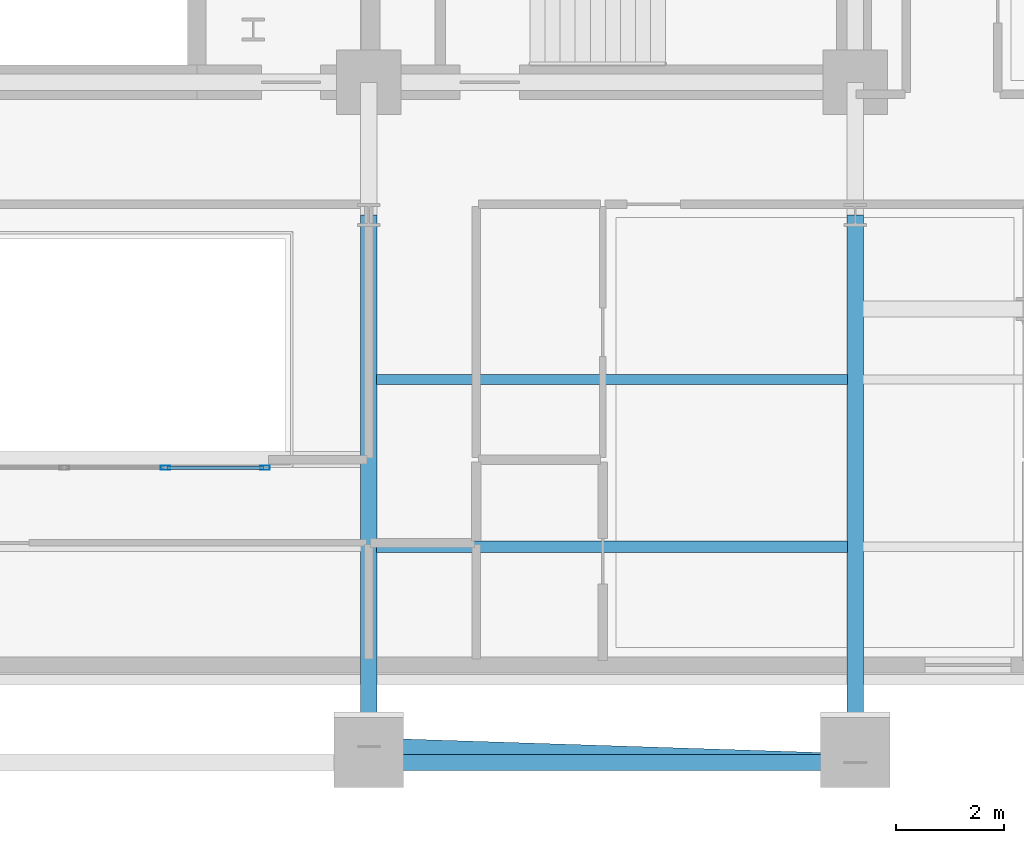
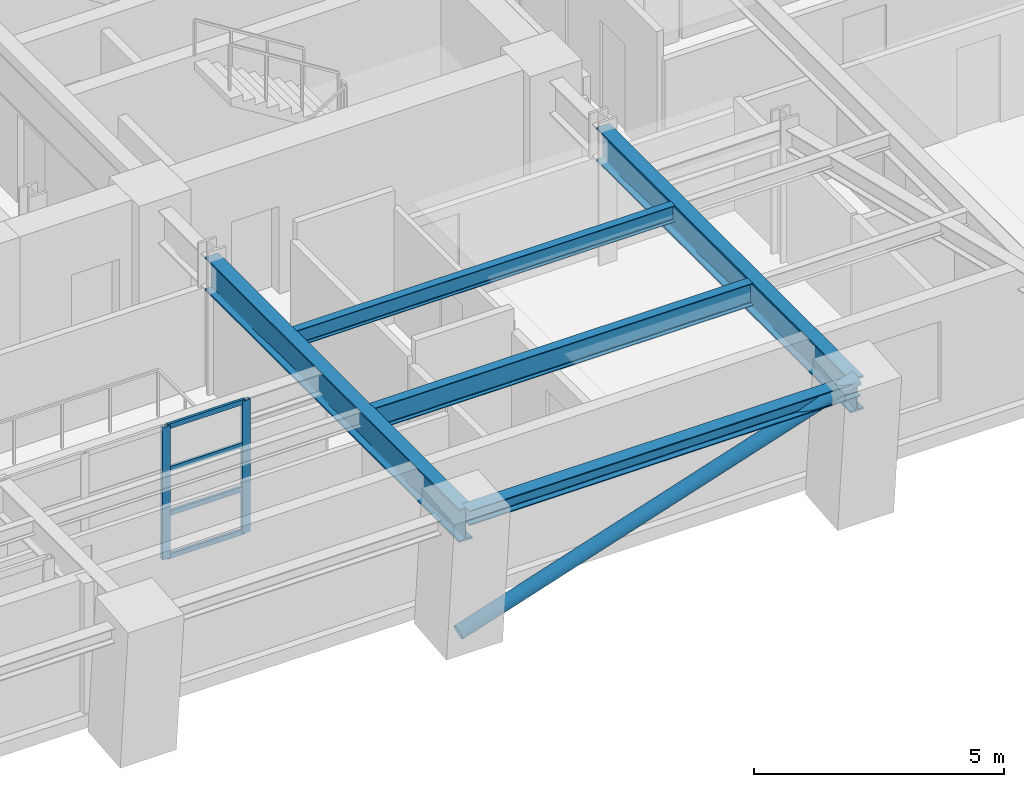
# One storey, part 5 of 16: 7 members, 5 beams, 1 element without a shape of its own.
"""IFC4 building model written with IfcOpenShell, lengths in metres."""

from ifc_helpers import new_model, si_unit, direction, frame, origin, origin_2d, place, context, subcontext, project, spatial, hollow_rectangle, hollow_circle, i_section, extrude, material, layer, layer_set, material_profile, profile_set, type_object, element, aggregate, save


model = new_model("IFC4")

# Units and contexts
model_context = context("Model", 3, precision=1e-05, world=origin(), true_north=direction((0.0, 1.0)))
body_context = subcontext(model_context, "Body", "Model", "MODEL_VIEW")
ifc_project = project(units=[si_unit("LENGTHUNIT", "METRE"), si_unit("AREAUNIT", "SQUARE_METRE"), si_unit("VOLUMEUNIT", "CUBIC_METRE"), si_unit("PLANEANGLEUNIT", "RADIAN"), si_unit("MASSUNIT", "GRAM", prefix="KILO")], contexts=[model_context])

# Site, building, storey
site_placement = place(None, origin())
site = spatial("IfcSite", under=ifc_project, at=site_placement, CompositionType="ELEMENT")
building_placement = place(site_placement, origin())
building = spatial("IfcBuilding", under=site, at=building_placement, Name="Zarnavel Station Tower", CompositionType="ELEMENT")
storey_placement = place(building_placement, frame((0.0, 0.0, 118.800048828125)))
storey = spatial("IfcBuildingStorey", under=building, at=storey_placement, Name="L32", CompositionType="ELEMENT", Elevation=118.800048828125)

# Curtain wall, members
ifc_material_1 = material(Name="Aluminium Dark Anodised and Solar-Control Glass", Category="aluminium")
ifc_layer = layer(ifc_material_1, 0.179931640625)
ifc_layer_set = layer_set([ifc_layer], Name="CWS3")
curtain_wall_type = type_object("IfcCurtainWallType", Name="CWS3", PredefinedType="NOTDEFINED", material=ifc_layer_set)
curtain_wall_placement = place(storey_placement, origin())
curtain_wall = element("IfcCurtainWall", 1, at=curtain_wall_placement, inside=storey, type_object=curtain_wall_type, Name="L32 Curtain Wall CWS3-L32-AS", PredefinedType="NOTDEFINED")
ifc_material_2 = material(Name="Steel S355J2 (Black Fluoropolymer Coated)", Category="steel")
ifc_material_profile_1 = material_profile(ifc_material_2, hollow_rectangle(XDim=0.080078125, YDim=0.179931640625, WallThickness=0.00634765625, at=origin_2d()), Name="RHS180x80x6.3")
ifc_profile_set_1 = profile_set([ifc_material_profile_1], Name="Steel S355J2 (Black Fluoropolymer Coated)")
member_type_1 = type_object("IfcMemberType", Name="CWS3_MUL", PredefinedType="MULLION", material=ifc_profile_set_1)
member_1_placement = place(storey_placement, frame((32.566650390625, 20.64990234375, 0.0), z_axis=(0.0, 0.0, 1.0), x_axis=(0.0, 1.0, 0.0)))
member_1 = element("IfcMember", 2, at=member_1_placement, type_object=member_type_1, Name="CW3 mullion 6", PredefinedType="MULLION", context=body_context, shape_type="SweptSolid", body=[
    extrude(hollow_rectangle(XDim=0.080078125, YDim=0.179931640625, WallThickness=0.00634765625, at=origin_2d()), origin(), (0.0, 0.0, 1.0), 3.239990234375),
])
member_2_placement = place(storey_placement, frame((34.419921875, 20.64990234375, 0.0), z_axis=(0.0, 0.0, 1.0), x_axis=(0.0, 1.0, 0.0)))
member_2 = element("IfcMember", 3, at=member_2_placement, type_object=member_type_1, Name="CW3 mullion 7", PredefinedType="MULLION", context=body_context, shape_type="SweptSolid", body=[
    extrude(hollow_rectangle(XDim=0.080078125, YDim=0.179931640625, WallThickness=0.00634765625, at=origin_2d()), origin(), (0.0, 0.0, 1.0), 3.239990234375),
])
ifc_material_3 = material(Name="Steel S355J2 (Black Fluoropolymer Coated)", Category="steel")
ifc_material_profile_2 = material_profile(ifc_material_3, hollow_rectangle(XDim=0.06005859375, YDim=0.1201171875, WallThickness=0.0048828125, at=origin_2d()), Name="RHS120x60x5")
ifc_profile_set_2 = profile_set([ifc_material_profile_2], Name="Steel S355J2 (Black Fluoropolymer Coated)")
member_type_2 = type_object("IfcMemberType", Name="CWS3_TRN", PredefinedType="USERDEFINED", material=ifc_profile_set_2)
member_3_placement = place(storey_placement, frame((32.5966796875, 20.64990234375, 0.030029296875), z_axis=(1.0, 0.0, 0.0), x_axis=(0.0, 1.0, 0.0)))
member_3 = element("IfcMember", 4, at=member_3_placement, type_object=member_type_2, Name="CW3 transom 6.1", ObjectType="TRANSOM", PredefinedType="USERDEFINED", context=body_context, shape_type="SweptSolid", body=[
    extrude(hollow_rectangle(XDim=0.06005859375, YDim=0.1201171875, WallThickness=0.0048828125, at=origin_2d()), origin(), (0.0, 0.0, 1.0), 1.793212890625),
])
member_4_placement = place(storey_placement, frame((32.5966796875, 20.64990234375, 1.079833984375), z_axis=(1.0, 0.0, 0.0), x_axis=(0.0, 1.0, 0.0)))
member_4 = element("IfcMember", 5, at=member_4_placement, type_object=member_type_2, Name="CW3 transom 6.2", ObjectType="TRANSOM", PredefinedType="USERDEFINED", context=body_context, shape_type="SweptSolid", body=[
    extrude(hollow_rectangle(XDim=0.06005859375, YDim=0.1201171875, WallThickness=0.0048828125, at=origin_2d()), origin(), (0.0, 0.0, 1.0), 1.793212890625),
])
member_5_placement = place(storey_placement, frame((32.5966796875, 20.64990234375, 2.159912109375), z_axis=(1.0, 0.0, 0.0), x_axis=(0.0, 1.0, 0.0)))
member_5 = element("IfcMember", 6, at=member_5_placement, type_object=member_type_2, Name="CW3 transom 6.3", ObjectType="TRANSOM", PredefinedType="USERDEFINED", context=body_context, shape_type="SweptSolid", body=[
    extrude(hollow_rectangle(XDim=0.06005859375, YDim=0.1201171875, WallThickness=0.0048828125, at=origin_2d()), origin(), (0.0, 0.0, 1.0), 1.793212890625),
])
member_6_placement = place(storey_placement, frame((32.5966796875, 20.64990234375, 3.2099609375), z_axis=(1.0, 0.0, 0.0), x_axis=(0.0, 1.0, 0.0)))
member_6 = element("IfcMember", 7, at=member_6_placement, type_object=member_type_2, Name="CW3 transom 6.4", ObjectType="TRANSOM", PredefinedType="USERDEFINED", context=body_context, shape_type="SweptSolid", body=[
    extrude(hollow_rectangle(XDim=0.06005859375, YDim=0.1201171875, WallThickness=0.0048828125, at=origin_2d()), origin(), (0.0, 0.0, 1.0), 1.793212890625),
])
aggregate(curtain_wall, [member_1, member_2, member_3, member_4, member_5, member_6])

# Member
ifc_material_4 = material(Name="Steel S355J2", Category="steel")
ifc_material_profile_3 = material_profile(ifc_material_4, hollow_circle(Radius=0.161865234375, WallThickness=0.012451171875, at=origin_2d()), Name="CHS323.9x12.5")
ifc_profile_set_3 = profile_set([ifc_material_profile_3], Name="Steel S355J2")
member_type_3 = type_object("IfcMemberType", Name="DB_EXT_CHS324", PredefinedType="BRACE", material=ifc_profile_set_3)
member_7_placement = place(storey_placement, frame((36.35009765625, 15.46240234375, 0.0), z_axis=(0.94104157458, -0.030540439576, 0.336909537505), x_axis=(0.032436790978, 0.999473788846, 0.0)))
element("IfcMember", 8, at=member_7_placement, inside=storey, type_object=member_type_3, Name="L32 Persian Exterior Diagonal Frame Brace 2", PredefinedType="BRACE", context=body_context, shape_type="SweptSolid", body=[
    extrude(hollow_circle(Radius=0.161865234375, WallThickness=0.012451171875, at=origin_2d()), origin(), (0.0, 0.0, 1.0), 9.61669921875),
])

# Beams
ifc_material_5 = material(Name="Steel S355J2", Category="steel")
ifc_material_profile_4 = material_profile(ifc_material_5, i_section(OverallWidth=0.300048828125, OverallDepth=0.360107421875, WebThickness=0.012451171875, FlangeThickness=0.0224609375, FilletRadius=0.027099609375, at=origin_2d()), Name="HEB360")
ifc_profile_set_4 = profile_set([ifc_material_profile_4], Name="Steel S355J2")
beam_type_1 = type_object("IfcBeamType", Name="EB_HEB360", PredefinedType="SPANDREL", material=ifc_profile_set_4)
beam_1_placement = place(storey_placement, frame((36.35009765625, 15.168701171875, 3.06005859375), z_axis=(1.0, 0.0, 0.0), x_axis=(0.0, 1.0, 0.0)))
element("IfcBeam", 9, at=beam_1_placement, inside=storey, type_object=beam_type_1, Name="L32 South Raked Spandrel 4", PredefinedType="SPANDREL", context=body_context, shape_type="SweptSolid", body=[
    extrude(i_section(OverallWidth=0.300048828125, OverallDepth=0.360107421875, WebThickness=0.012451171875, FlangeThickness=0.0224609375, FilletRadius=0.027099609375, at=origin_2d()), origin(), (0.0, 0.0, 1.0), 9.0498046875),
])
ifc_material_6 = material(Name="Steel S355J2", Category="steel")
ifc_material_profile_5 = material_profile(ifc_material_6, i_section(OverallWidth=0.179931640625, OverallDepth=0.39990234375, WebThickness=0.008544921875, FlangeThickness=0.013427734375, FilletRadius=0.02099609375, at=origin_2d()), Name="IPE400")
ifc_profile_set_5 = profile_set([ifc_material_profile_5], Name="Steel S355J2")
beam_type_2 = type_object("IfcBeamType", Name="FB_IPE400", PredefinedType="BEAM", material=ifc_profile_set_5)
beam_2_placement = place(storey_placement, frame((36.4951171875, 22.28955078125, 3.0400390625), z_axis=(1.0, 0.0, 0.0), x_axis=(0.0, 1.0, 0.0)))
element("IfcBeam", 10, at=beam_2_placement, inside=storey, type_object=beam_type_2, Name="L32 East Bay Beam 2", PredefinedType="BEAM", context=body_context, shape_type="SweptSolid", body=[
    extrude(i_section(OverallWidth=0.179931640625, OverallDepth=0.39990234375, WebThickness=0.008544921875, FlangeThickness=0.013427734375, FilletRadius=0.02099609375, at=origin_2d()), origin(), (0.0, 0.0, 1.0), 8.759765625),
])
ifc_material_7 = material(Name="Steel S355J2", Category="steel")
ifc_material_profile_6 = material_profile(ifc_material_7, i_section(OverallWidth=0.2099609375, OverallDepth=0.550048828125, WebThickness=0.010986328125, FlangeThickness=0.01708984375, FilletRadius=0.02392578125, at=origin_2d()), Name="IPE550")
ifc_profile_set_6 = profile_set([ifc_material_profile_6], Name="Steel S355J2")
beam_type_3 = type_object("IfcBeamType", Name="FB_IPE550", PredefinedType="BEAM", material=ifc_profile_set_6)
beam_3_placement = place(storey_placement, frame((36.4951171875, 19.17919921875, 2.96484375), z_axis=(1.0, 0.0, 0.0), x_axis=(0.0, 1.0, 0.0)))
element("IfcBeam", 11, at=beam_3_placement, inside=storey, type_object=beam_type_3, Name="L32 East Bay Beam 1", PredefinedType="BEAM", context=body_context, shape_type="SweptSolid", body=[
    extrude(i_section(OverallWidth=0.2099609375, OverallDepth=0.550048828125, WebThickness=0.010986328125, FlangeThickness=0.01708984375, FilletRadius=0.02392578125, at=origin_2d()), origin(), (0.0, 0.0, 1.0), 8.759765625),
])
ifc_material_8 = material(Name="Steel S460M", Category="steel")
ifc_material_profile_7 = material_profile(ifc_material_8, i_section(OverallWidth=0.302978515625, OverallDepth=0.81396484375, WebThickness=0.02099609375, FlangeThickness=0.0400390625, FilletRadius=0.030029296875, at=origin_2d()), Name="HEM800")
ifc_profile_set_7 = profile_set([ifc_material_profile_7], Name="Steel S460M")
beam_type_4 = type_object("IfcBeamType", Name="FG_HEM800", PredefinedType="USERDEFINED", material=ifc_profile_set_7)
for number, where, z_axis, x_axis, name in (
    (12, (36.35009765625, 15.168701171875, 2.8330078125), (0.0, 1.0, 0.0), (-1.0, 0.0, 0.0), "L32 South-Zone NS Girder 4"),
    (13, (45.39990234375, 15.168701171875, 2.8330078125), (0.0, 1.0, 0.0), (-1.0, 0.0, 0.0), "L32 South-Zone NS Girder 5"),
):
    element("IfcBeam", number, at=place(storey_placement, frame(where, z_axis=z_axis, x_axis=x_axis)), inside=storey, type_object=beam_type_4, Name=name, ObjectType="GIRDER", PredefinedType="USERDEFINED", context=body_context, shape_type="SweptSolid", body=[
        extrude(i_section(OverallWidth=0.302978515625, OverallDepth=0.81396484375, WebThickness=0.02099609375, FlangeThickness=0.0400390625, FilletRadius=0.030029296875, at=origin_2d()), origin(), (0.0, 0.0, 1.0), 10.181396484375),
    ])

save(model, "model.ifc")
